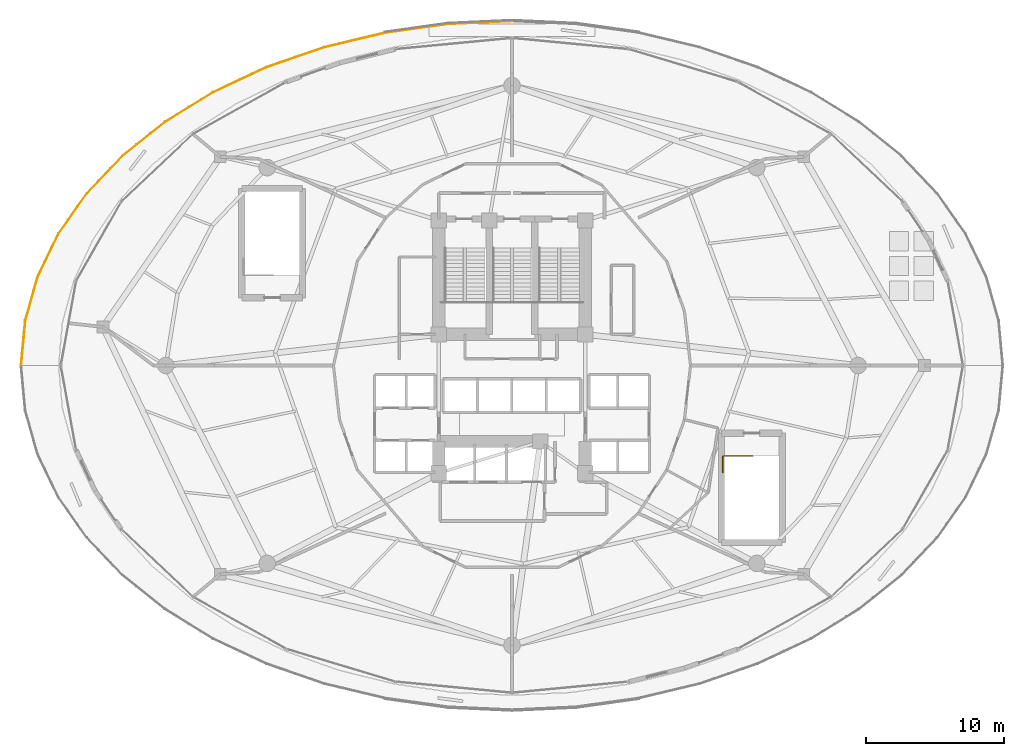
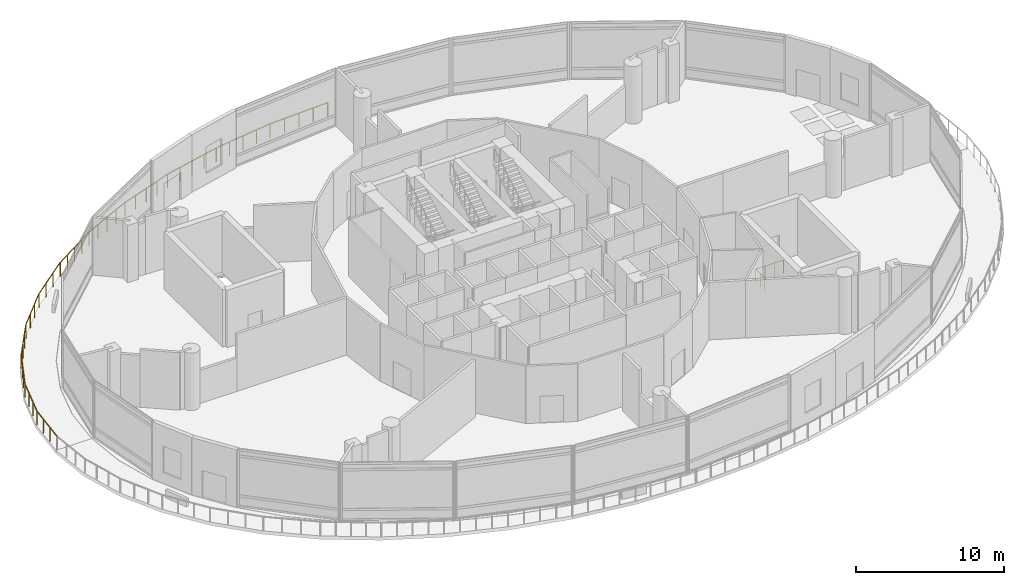
# One storey, part 33 of 34: 3 railings.
"""IFC4 building model written with IfcOpenShell, lengths in metres."""

from ifc_helpers import new_model, si_unit, direction, frame, origin, place, context, subcontext, project, spatial, polyline, outline, extrude, material, type_object, element, save


model = new_model("IFC4")

# Units and contexts
model_context = context("Model", 3, precision=1e-05, world=origin(), true_north=direction((0.0, 1.0)))
body_context = subcontext(model_context, "Body", "Model", "MODEL_VIEW")
ifc_project = project(units=[si_unit("LENGTHUNIT", "METRE"), si_unit("AREAUNIT", "SQUARE_METRE"), si_unit("VOLUMEUNIT", "CUBIC_METRE"), si_unit("PLANEANGLEUNIT", "RADIAN"), si_unit("MASSUNIT", "GRAM", prefix="KILO")], contexts=[model_context])

# Site, building, storey
site_placement = place(None, origin())
site = spatial("IfcSite", under=ifc_project, at=site_placement, CompositionType="ELEMENT")
building_placement = place(site_placement, origin())
building = spatial("IfcBuilding", under=site, at=building_placement, Name="Nuhasar Tower", CompositionType="ELEMENT")
storey_placement = place(building_placement, frame((0.0, 0.0, 16.0)))
storey = spatial("IfcBuildingStorey", under=building, at=storey_placement, Name="L03", CompositionType="ELEMENT", Elevation=16.0)

# Railings
ifc_material = material(Name="Steel S355", Category="steel")
railing_type_1 = type_object("IfcRailingType", Name="RLG-STAIR-GUARD-1150", PredefinedType="GUARDRAIL", material=ifc_material)
railing_1_placement = place(storey_placement, frame((54.25, 19.050048828125, 0.0)))
element("IfcRailing", 1, at=railing_1_placement, inside=storey, type_object=railing_type_1, Name="L03 Stair ST-05 Top Well Guardrail", PredefinedType="GUARDRAIL", context=body_context, shape_type="SweptSolid", body=[
    extrude(outline(polyline([(0.024169921875, 0.0), (0.01708984375, 0.01708984375), (0.0, 0.024169921875), (-0.01708984375, 0.01708984375), (-0.024169921875, 0.0), (-0.01708984375, -0.01708984375), (0.0, -0.024169921875), (0.01708984375, -0.01708984375), (0.024169921875, 0.0)])), frame((0.0, 0.0, 1.1259765625), z_axis=(0.0, 1.0, 0.0), x_axis=(-1.0, 0.0, 0.0)), (0.0, 0.0, 1.0), 1.199951171875),
    extrude(outline(polyline([(0.024169921875, 0.0), (0.01708984375, 0.01708984375), (0.0, 0.024169921875), (-0.01708984375, 0.01708984375), (-0.024169921875, 0.0), (-0.01708984375, -0.01708984375), (0.0, -0.024169921875), (0.01708984375, -0.01708984375), (0.024169921875, 0.0)])), frame((0.0, 1.199951171875, 1.1259765625), z_axis=(1.0, 0.0, 0.0), x_axis=(0.0, 1.0, 0.0)), (0.0, 0.0, 1.0), 2.169921875),
    extrude(outline(polyline([(0.02099609375, 0.0), (0.014892578125, 0.014892578125), (0.0, 0.02099609375), (-0.014892578125, 0.014892578125), (-0.02099609375, 0.0), (-0.014892578125, -0.014892578125), (0.0, -0.02099609375), (0.014892578125, -0.014892578125), (0.02099609375, 0.0)])), origin(), (0.0, 0.0, 1.0), 1.101806640625),
    extrude(outline(polyline([(0.02099609375, 0.0), (0.014892578125, 0.014892578125), (0.0, 0.02099609375), (-0.014892578125, 0.014892578125), (-0.02099609375, 0.0), (-0.014892578125, -0.014892578125), (0.0, -0.02099609375), (0.014892578125, -0.014892578125), (0.02099609375, 0.0)])), frame((0.0, 0.60009765625, 0.0)), (0.0, 0.0, 1.0), 1.101806640625),
    extrude(outline(polyline([(0.02099609375, 0.0), (0.014892578125, 0.014892578125), (0.0, 0.02099609375), (-0.014892578125, 0.014892578125), (-0.02099609375, 0.0), (-0.014892578125, -0.014892578125), (0.0, -0.02099609375), (0.014892578125, -0.014892578125), (0.02099609375, 0.0)])), frame((0.0, 1.199951171875, 0.0)), (0.0, 0.0, 1.0), 1.101806640625),
    extrude(outline(polyline([(0.02099609375, 0.0), (0.014892578125, 0.014892578125), (0.0, 0.02099609375), (-0.014892578125, 0.014892578125), (-0.02099609375, 0.0), (-0.014892578125, -0.014892578125), (0.0, -0.02099609375), (0.014892578125, -0.014892578125), (0.02099609375, 0.0)])), frame((0.723388671875, 1.199951171875, 0.0)), (0.0, 0.0, 1.0), 1.101806640625),
    extrude(outline(polyline([(0.02099609375, 0.0), (0.014892578125, 0.014892578125), (0.0, 0.02099609375), (-0.014892578125, 0.014892578125), (-0.02099609375, 0.0), (-0.014892578125, -0.014892578125), (0.0, -0.02099609375), (0.014892578125, -0.014892578125), (0.02099609375, 0.0)])), frame((1.446533203125, 1.199951171875, 0.0)), (0.0, 0.0, 1.0), 1.101806640625),
    extrude(outline(polyline([(0.02099609375, 0.0), (0.014892578125, 0.014892578125), (0.0, 0.02099609375), (-0.014892578125, 0.014892578125), (-0.02099609375, 0.0), (-0.014892578125, -0.014892578125), (0.0, -0.02099609375), (0.014892578125, -0.014892578125), (0.02099609375, 0.0)])), frame((2.169921875, 1.199951171875, 0.0)), (0.0, 0.0, 1.0), 1.101806640625),
])
railing_type_2 = type_object("IfcRailingType", Name="RLG-TERR-1150", PredefinedType="BALUSTRADE", material=ifc_material)
railing_2_placement = place(storey_placement, frame((39.0, 51.719970703125, 0.0)))
element("IfcRailing", 2, at=railing_2_placement, inside=storey, type_object=railing_type_2, Name="L03 Bustan Terrace Perimeter Balustrade 03", PredefinedType="BALUSTRADE", context=body_context, shape_type="SweptSolid", body=[
    extrude(outline(polyline([(0.024169921875, 0.0), (0.01708984375, 0.01708984375), (0.0, 0.024169921875), (-0.01708984375, 0.01708984375), (-0.024169921875, 0.0), (-0.01708984375, -0.01708984375), (0.0, -0.024169921875), (0.01708984375, -0.01708984375), (0.024169921875, 0.0)])), frame((0.0, 0.0, 1.1259765625), z_axis=(-0.998947280716, -0.045872980609, 0.0), x_axis=(0.045872980609, -0.998947280716, 0.0)), (0.0, 0.0, 1.0), 4.640869140625),
    extrude(outline(polyline([(0.024169921875, 0.0), (0.01708984375, 0.01708984375), (0.0, 0.024169921875), (-0.01708984375, 0.01708984375), (-0.024169921875, 0.0), (-0.01708984375, -0.01708984375), (0.0, -0.024169921875), (0.01708984375, -0.01708984375), (0.024169921875, 0.0)])), frame((-4.635986328125, -0.212890625, 1.1259765625), z_axis=(-0.990401686218, -0.138219028854, 0.0), x_axis=(0.138219028854, -0.990401686218, 0.0)), (0.0, 0.0, 1.0), 4.601318359375),
    extrude(outline(polyline([(0.024169921875, 0.0), (0.01708984375, 0.01708984375), (0.0, 0.024169921875), (-0.01708984375, 0.01708984375), (-0.024169921875, 0.0), (-0.01708984375, -0.01708984375), (0.0, -0.024169921875), (0.01708984375, -0.01708984375), (0.024169921875, 0.0)])), frame((-9.193115234375, -0.848876953125, 1.1259765625), z_axis=(-0.972781305311, -0.231725121723, 0.0), x_axis=(0.231725121723, -0.972781305311, 0.0)), (0.0, 0.0, 1.0), 4.52294921875),
    extrude(outline(polyline([(0.024169921875, 0.0), (0.01708984375, 0.01708984375), (0.0, 0.024169921875), (-0.01708984375, 0.01708984375), (-0.024169921875, 0.0), (-0.01708984375, -0.01708984375), (0.0, -0.024169921875), (0.01708984375, -0.01708984375), (0.024169921875, 0.0)])), frame((-13.593017578125, -1.89697265625, 1.1259765625), z_axis=(-0.945022930753, -0.327004067789, 0.0), x_axis=(0.327004067789, -0.945022930753, 0.0)), (0.0, 0.0, 1.0), 4.409423828125),
    extrude(outline(polyline([(0.024169921875, 0.0), (0.01708984375, 0.01708984375), (0.0, 0.024169921875), (-0.01708984375, 0.01708984375), (-0.024169921875, 0.0), (-0.01708984375, -0.01708984375), (0.0, -0.024169921875), (0.01708984375, -0.01708984375), (0.024169921875, 0.0)])), frame((-17.760009765625, -3.3388671875, 1.1259765625), z_axis=(-0.905437630864, -0.424479324132, 0.0), x_axis=(0.424479324132, -0.905437630864, 0.0)), (0.0, 0.0, 1.0), 4.2666015625),
    extrude(outline(polyline([(0.024169921875, 0.0), (0.01708984375, 0.01708984375), (0.0, 0.024169921875), (-0.01708984375, 0.01708984375), (-0.024169921875, 0.0), (-0.01708984375, -0.01708984375), (0.0, -0.024169921875), (0.01708984375, -0.01708984375), (0.024169921875, 0.0)])), frame((-21.623046875, -5.14990234375, 1.1259765625), z_axis=(-0.851705785803, -0.524020280551, 0.0), x_axis=(0.524020280551, -0.851705785803, 0.0)), (0.0, 0.0, 1.0), 4.061279296875),
    extrude(outline(polyline([(0.02099609375, 0.0), (0.014892578125, 0.014892578125), (0.0, 0.02099609375), (-0.014892578125, 0.014892578125), (-0.02099609375, 0.0), (-0.014892578125, -0.014892578125), (0.0, -0.02099609375), (0.014892578125, -0.014892578125), (0.02099609375, 0.0)])), origin(), (0.0, 0.0, 1.0), 1.101806640625),
    extrude(outline(polyline([(0.02099609375, 0.0), (0.014892578125, 0.014892578125), (0.0, 0.02099609375), (-0.014892578125, 0.014892578125), (-0.02099609375, 0.0), (-0.014892578125, -0.014892578125), (0.0, -0.02099609375), (0.014892578125, -0.014892578125), (0.02099609375, 0.0)])), frame((-1.158935546875, -0.05322265625, 0.0)), (0.0, 0.0, 1.0), 1.101806640625),
    extrude(outline(polyline([(0.02099609375, 0.0), (0.014892578125, 0.014892578125), (0.0, 0.02099609375), (-0.014892578125, 0.014892578125), (-0.02099609375, 0.0), (-0.014892578125, -0.014892578125), (0.0, -0.02099609375), (0.014892578125, -0.014892578125), (0.02099609375, 0.0)])), frame((-2.31787109375, -0.1064453125, 0.0)), (0.0, 0.0, 1.0), 1.101806640625),
    extrude(outline(polyline([(0.02099609375, 0.0), (0.014892578125, 0.014892578125), (0.0, 0.02099609375), (-0.014892578125, 0.014892578125), (-0.02099609375, 0.0), (-0.014892578125, -0.014892578125), (0.0, -0.02099609375), (0.014892578125, -0.014892578125), (0.02099609375, 0.0)])), frame((-3.47705078125, -0.15966796875, 0.0)), (0.0, 0.0, 1.0), 1.101806640625),
    extrude(outline(polyline([(0.02099609375, 0.0), (0.014892578125, 0.014892578125), (0.0, 0.02099609375), (-0.014892578125, 0.014892578125), (-0.02099609375, 0.0), (-0.014892578125, -0.014892578125), (0.0, -0.02099609375), (0.014892578125, -0.014892578125), (0.02099609375, 0.0)])), frame((-4.635986328125, -0.212890625, 0.0)), (0.0, 0.0, 1.0), 1.101806640625),
    extrude(outline(polyline([(0.02099609375, 0.0), (0.014892578125, 0.014892578125), (0.0, 0.02099609375), (-0.014892578125, 0.014892578125), (-0.02099609375, 0.0), (-0.014892578125, -0.014892578125), (0.0, -0.02099609375), (0.014892578125, -0.014892578125), (0.02099609375, 0.0)])), frame((-5.775390625, -0.371826171875, 0.0)), (0.0, 0.0, 1.0), 1.101806640625),
    extrude(outline(polyline([(0.02099609375, 0.0), (0.014892578125, 0.014892578125), (0.0, 0.02099609375), (-0.014892578125, 0.014892578125), (-0.02099609375, 0.0), (-0.014892578125, -0.014892578125), (0.0, -0.02099609375), (0.014892578125, -0.014892578125), (0.02099609375, 0.0)])), frame((-6.91455078125, -0.53076171875, 0.0)), (0.0, 0.0, 1.0), 1.101806640625),
    extrude(outline(polyline([(0.02099609375, 0.0), (0.014892578125, 0.014892578125), (0.0, 0.02099609375), (-0.014892578125, 0.014892578125), (-0.02099609375, 0.0), (-0.014892578125, -0.014892578125), (0.0, -0.02099609375), (0.014892578125, -0.014892578125), (0.02099609375, 0.0)])), frame((-8.0537109375, -0.68994140625, 0.0)), (0.0, 0.0, 1.0), 1.101806640625),
    extrude(outline(polyline([(0.02099609375, 0.0), (0.014892578125, 0.014892578125), (0.0, 0.02099609375), (-0.014892578125, 0.014892578125), (-0.02099609375, 0.0), (-0.014892578125, -0.014892578125), (0.0, -0.02099609375), (0.014892578125, -0.014892578125), (0.02099609375, 0.0)])), frame((-9.193115234375, -0.848876953125, 0.0)), (0.0, 0.0, 1.0), 1.101806640625),
    extrude(outline(polyline([(0.02099609375, 0.0), (0.014892578125, 0.014892578125), (0.0, 0.02099609375), (-0.014892578125, 0.014892578125), (-0.02099609375, 0.0), (-0.014892578125, -0.014892578125), (0.0, -0.02099609375), (0.014892578125, -0.014892578125), (0.02099609375, 0.0)])), frame((-10.29296875, -1.11083984375, 0.0)), (0.0, 0.0, 1.0), 1.101806640625),
    extrude(outline(polyline([(0.02099609375, 0.0), (0.014892578125, 0.014892578125), (0.0, 0.02099609375), (-0.014892578125, 0.014892578125), (-0.02099609375, 0.0), (-0.014892578125, -0.014892578125), (0.0, -0.02099609375), (0.014892578125, -0.014892578125), (0.02099609375, 0.0)])), frame((-11.39306640625, -1.373046875, 0.0)), (0.0, 0.0, 1.0), 1.101806640625),
    extrude(outline(polyline([(0.02099609375, 0.0), (0.014892578125, 0.014892578125), (0.0, 0.02099609375), (-0.014892578125, 0.014892578125), (-0.02099609375, 0.0), (-0.014892578125, -0.014892578125), (0.0, -0.02099609375), (0.014892578125, -0.014892578125), (0.02099609375, 0.0)])), frame((-12.4931640625, -1.635009765625, 0.0)), (0.0, 0.0, 1.0), 1.101806640625),
    extrude(outline(polyline([(0.02099609375, 0.0), (0.014892578125, 0.014892578125), (0.0, 0.02099609375), (-0.014892578125, 0.014892578125), (-0.02099609375, 0.0), (-0.014892578125, -0.014892578125), (0.0, -0.02099609375), (0.014892578125, -0.014892578125), (0.02099609375, 0.0)])), frame((-13.593017578125, -1.89697265625, 0.0)), (0.0, 0.0, 1.0), 1.101806640625),
    extrude(outline(polyline([(0.02099609375, 0.0), (0.014892578125, 0.014892578125), (0.0, 0.02099609375), (-0.014892578125, 0.014892578125), (-0.02099609375, 0.0), (-0.014892578125, -0.014892578125), (0.0, -0.02099609375), (0.014892578125, -0.014892578125), (0.02099609375, 0.0)])), frame((-14.634765625, -2.25732421875, 0.0)), (0.0, 0.0, 1.0), 1.101806640625),
    extrude(outline(polyline([(0.02099609375, 0.0), (0.014892578125, 0.014892578125), (0.0, 0.02099609375), (-0.014892578125, 0.014892578125), (-0.02099609375, 0.0), (-0.014892578125, -0.014892578125), (0.0, -0.02099609375), (0.014892578125, -0.014892578125), (0.02099609375, 0.0)])), frame((-15.676513671875, -2.617919921875, 0.0)), (0.0, 0.0, 1.0), 1.101806640625),
    extrude(outline(polyline([(0.02099609375, 0.0), (0.014892578125, 0.014892578125), (0.0, 0.02099609375), (-0.014892578125, 0.014892578125), (-0.02099609375, 0.0), (-0.014892578125, -0.014892578125), (0.0, -0.02099609375), (0.014892578125, -0.014892578125), (0.02099609375, 0.0)])), frame((-16.71826171875, -2.978515625, 0.0)), (0.0, 0.0, 1.0), 1.101806640625),
    extrude(outline(polyline([(0.02099609375, 0.0), (0.014892578125, 0.014892578125), (0.0, 0.02099609375), (-0.014892578125, 0.014892578125), (-0.02099609375, 0.0), (-0.014892578125, -0.014892578125), (0.0, -0.02099609375), (0.014892578125, -0.014892578125), (0.02099609375, 0.0)])), frame((-17.760009765625, -3.3388671875, 0.0)), (0.0, 0.0, 1.0), 1.101806640625),
    extrude(outline(polyline([(0.02099609375, 0.0), (0.014892578125, 0.014892578125), (0.0, 0.02099609375), (-0.014892578125, 0.014892578125), (-0.02099609375, 0.0), (-0.014892578125, -0.014892578125), (0.0, -0.02099609375), (0.014892578125, -0.014892578125), (0.02099609375, 0.0)])), frame((-18.725830078125, -3.79150390625, 0.0)), (0.0, 0.0, 1.0), 1.101806640625),
    extrude(outline(polyline([(0.02099609375, 0.0), (0.014892578125, 0.014892578125), (0.0, 0.02099609375), (-0.014892578125, 0.014892578125), (-0.02099609375, 0.0), (-0.014892578125, -0.014892578125), (0.0, -0.02099609375), (0.014892578125, -0.014892578125), (0.02099609375, 0.0)])), frame((-19.69140625, -4.244384765625, 0.0)), (0.0, 0.0, 1.0), 1.101806640625),
    extrude(outline(polyline([(0.02099609375, 0.0), (0.014892578125, 0.014892578125), (0.0, 0.02099609375), (-0.014892578125, 0.014892578125), (-0.02099609375, 0.0), (-0.014892578125, -0.014892578125), (0.0, -0.02099609375), (0.014892578125, -0.014892578125), (0.02099609375, 0.0)])), frame((-20.6572265625, -4.697265625, 0.0)), (0.0, 0.0, 1.0), 1.101806640625),
    extrude(outline(polyline([(0.02099609375, 0.0), (0.014892578125, 0.014892578125), (0.0, 0.02099609375), (-0.014892578125, 0.014892578125), (-0.02099609375, 0.0), (-0.014892578125, -0.014892578125), (0.0, -0.02099609375), (0.014892578125, -0.014892578125), (0.02099609375, 0.0)])), frame((-21.623046875, -5.14990234375, 0.0)), (0.0, 0.0, 1.0), 1.101806640625),
    extrude(outline(polyline([(0.02099609375, 0.0), (0.014892578125, 0.014892578125), (0.0, 0.02099609375), (-0.014892578125, 0.014892578125), (-0.02099609375, 0.0), (-0.014892578125, -0.014892578125), (0.0, -0.02099609375), (0.014892578125, -0.014892578125), (0.02099609375, 0.0)])), frame((-22.48779296875, -5.681884765625, 0.0)), (0.0, 0.0, 1.0), 1.101806640625),
    extrude(outline(polyline([(0.02099609375, 0.0), (0.014892578125, 0.014892578125), (0.0, 0.02099609375), (-0.014892578125, 0.014892578125), (-0.02099609375, 0.0), (-0.014892578125, -0.014892578125), (0.0, -0.02099609375), (0.014892578125, -0.014892578125), (0.02099609375, 0.0)])), frame((-23.3525390625, -6.2138671875, 0.0)), (0.0, 0.0, 1.0), 1.101806640625),
    extrude(outline(polyline([(0.02099609375, 0.0), (0.014892578125, 0.014892578125), (0.0, 0.02099609375), (-0.014892578125, 0.014892578125), (-0.02099609375, 0.0), (-0.014892578125, -0.014892578125), (0.0, -0.02099609375), (0.014892578125, -0.014892578125), (0.02099609375, 0.0)])), frame((-24.21728515625, -6.74609375, 0.0)), (0.0, 0.0, 1.0), 1.101806640625),
    extrude(outline(polyline([(0.02099609375, 0.0), (0.014892578125, 0.014892578125), (0.0, 0.02099609375), (-0.014892578125, 0.014892578125), (-0.02099609375, 0.0), (-0.014892578125, -0.014892578125), (0.0, -0.02099609375), (0.014892578125, -0.014892578125), (0.02099609375, 0.0)])), frame((-25.08203125, -7.278076171875, 0.0)), (0.0, 0.0, 1.0), 1.101806640625),
])
railing_3_placement = place(storey_placement, frame((13.884033203125, 44.4208984375, 0.0)))
element("IfcRailing", 3, at=railing_3_placement, inside=storey, type_object=railing_type_2, Name="L03 Bustan Terrace Perimeter Balustrade 04", PredefinedType="BALUSTRADE", context=body_context, shape_type="SweptSolid", body=[
    extrude(outline(polyline([(0.024169921875, 0.0), (0.01708984375, 0.01708984375), (0.0, 0.024169921875), (-0.01708984375, 0.01708984375), (-0.024169921875, 0.0), (-0.01708984375, -0.01708984375), (0.0, -0.024169921875), (0.01708984375, -0.01708984375), (0.024169921875, 0.0)])), frame((0.0, 0.0, 1.1259765625), z_axis=(-0.780899161224, -0.624657105939, 0.0), x_axis=(0.624657105939, -0.780899161224, 0.0)), (0.0, 0.0, 1.0), 3.923583984375),
    extrude(outline(polyline([(0.024169921875, 0.0), (0.01708984375, 0.01708984375), (0.0, 0.024169921875), (-0.01708984375, 0.01708984375), (-0.024169921875, 0.0), (-0.01708984375, -0.01708984375), (0.0, -0.024169921875), (0.01708984375, -0.01708984375), (0.024169921875, 0.0)])), frame((-3.06396484375, -2.450927734375, 1.1259765625), z_axis=(-0.689674719684, -0.724119314084, 0.0), x_axis=(0.724119314084, -0.689674719684, 0.0)), (0.0, 0.0, 1.0), 3.742431640625),
    extrude(outline(polyline([(0.024169921875, 0.0), (0.01708984375, 0.01708984375), (0.0, 0.024169921875), (-0.01708984375, 0.01708984375), (-0.024169921875, 0.0), (-0.01708984375, -0.01708984375), (0.0, -0.024169921875), (0.01708984375, -0.01708984375), (0.024169921875, 0.0)])), frame((-5.64501953125, -5.160888671875, 1.1259765625), z_axis=(-0.574978887045, -0.818168246422, 0.0), x_axis=(0.818168246422, -0.574978887045, 0.0)), (0.0, 0.0, 1.0), 3.573974609375),
    extrude(outline(polyline([(0.024169921875, 0.0), (0.01708984375, 0.01708984375), (0.0, 0.024169921875), (-0.01708984375, 0.01708984375), (-0.024169921875, 0.0), (-0.01708984375, -0.01708984375), (0.0, -0.024169921875), (0.01708984375, -0.01708984375), (0.024169921875, 0.0)])), frame((-7.699951171875, -8.0849609375, 1.1259765625), z_axis=(-0.435784260795, -0.900051153015, 0.0), x_axis=(0.900051153015, -0.435784260795, 0.0)), (0.0, 0.0, 1.0), 3.4287109375),
    extrude(outline(polyline([(0.024169921875, 0.0), (0.01708984375, 0.01708984375), (0.0, 0.024169921875), (-0.01708984375, 0.01708984375), (-0.024169921875, 0.0), (-0.01708984375, -0.01708984375), (0.0, -0.024169921875), (0.01708984375, -0.01708984375), (0.024169921875, 0.0)])), frame((-9.194091796875, -11.1708984375, 1.1259765625), z_axis=(-0.272653580986, -0.962112272438, 0.0), x_axis=(0.962112272438, -0.272653580986, 0.0)), (0.0, 0.0, 1.0), 3.322998046875),
    extrude(outline(polyline([(0.024169921875, 0.0), (0.01708984375, 0.01708984375), (0.0, 0.024169921875), (-0.01708984375, 0.01708984375), (-0.024169921875, 0.0), (-0.01708984375, -0.01708984375), (0.0, -0.024169921875), (0.01708984375, -0.01708984375), (0.024169921875, 0.0)])), frame((-10.10009765625, -14.367919921875, 1.1259765625), z_axis=(-0.09298445531, -0.995667560519, 0.0), x_axis=(0.995667560519, -0.09298445531, 0.0)), (0.0, 0.0, 1.0), 3.226806640625),
    extrude(outline(polyline([(0.02099609375, 0.0), (0.014892578125, 0.014892578125), (0.0, 0.02099609375), (-0.014892578125, 0.014892578125), (-0.02099609375, 0.0), (-0.014892578125, -0.014892578125), (0.0, -0.02099609375), (0.014892578125, -0.014892578125), (0.02099609375, 0.0)])), origin(), (0.0, 0.0, 1.0), 1.101806640625),
    extrude(outline(polyline([(0.02099609375, 0.0), (0.014892578125, 0.014892578125), (0.0, 0.02099609375), (-0.014892578125, 0.014892578125), (-0.02099609375, 0.0), (-0.014892578125, -0.014892578125), (0.0, -0.02099609375), (0.014892578125, -0.014892578125), (0.02099609375, 0.0)])), frame((-1.021240234375, -0.81689453125, 0.0)), (0.0, 0.0, 1.0), 1.101806640625),
    extrude(outline(polyline([(0.02099609375, 0.0), (0.014892578125, 0.014892578125), (0.0, 0.02099609375), (-0.014892578125, 0.014892578125), (-0.02099609375, 0.0), (-0.014892578125, -0.014892578125), (0.0, -0.02099609375), (0.014892578125, -0.014892578125), (0.02099609375, 0.0)])), frame((-2.042724609375, -1.634033203125, 0.0)), (0.0, 0.0, 1.0), 1.101806640625),
    extrude(outline(polyline([(0.02099609375, 0.0), (0.014892578125, 0.014892578125), (0.0, 0.02099609375), (-0.014892578125, 0.014892578125), (-0.02099609375, 0.0), (-0.014892578125, -0.014892578125), (0.0, -0.02099609375), (0.014892578125, -0.014892578125), (0.02099609375, 0.0)])), frame((-3.06396484375, -2.450927734375, 0.0)), (0.0, 0.0, 1.0), 1.101806640625),
    extrude(outline(polyline([(0.02099609375, 0.0), (0.014892578125, 0.014892578125), (0.0, 0.02099609375), (-0.014892578125, 0.014892578125), (-0.02099609375, 0.0), (-0.014892578125, -0.014892578125), (0.0, -0.02099609375), (0.014892578125, -0.014892578125), (0.02099609375, 0.0)])), frame((-3.92431640625, -3.354248046875, 0.0)), (0.0, 0.0, 1.0), 1.101806640625),
    extrude(outline(polyline([(0.02099609375, 0.0), (0.014892578125, 0.014892578125), (0.0, 0.02099609375), (-0.014892578125, 0.014892578125), (-0.02099609375, 0.0), (-0.014892578125, -0.014892578125), (0.0, -0.02099609375), (0.014892578125, -0.014892578125), (0.02099609375, 0.0)])), frame((-4.78466796875, -4.257568359375, 0.0)), (0.0, 0.0, 1.0), 1.101806640625),
    extrude(outline(polyline([(0.02099609375, 0.0), (0.014892578125, 0.014892578125), (0.0, 0.02099609375), (-0.014892578125, 0.014892578125), (-0.02099609375, 0.0), (-0.014892578125, -0.014892578125), (0.0, -0.02099609375), (0.014892578125, -0.014892578125), (0.02099609375, 0.0)])), frame((-5.64501953125, -5.160888671875, 0.0)), (0.0, 0.0, 1.0), 1.101806640625),
    extrude(outline(polyline([(0.02099609375, 0.0), (0.014892578125, 0.014892578125), (0.0, 0.02099609375), (-0.014892578125, 0.014892578125), (-0.02099609375, 0.0), (-0.014892578125, -0.014892578125), (0.0, -0.02099609375), (0.014892578125, -0.014892578125), (0.02099609375, 0.0)])), frame((-6.330078125, -6.135498046875, 0.0)), (0.0, 0.0, 1.0), 1.101806640625),
    extrude(outline(polyline([(0.02099609375, 0.0), (0.014892578125, 0.014892578125), (0.0, 0.02099609375), (-0.014892578125, 0.014892578125), (-0.02099609375, 0.0), (-0.014892578125, -0.014892578125), (0.0, -0.02099609375), (0.014892578125, -0.014892578125), (0.02099609375, 0.0)])), frame((-7.014892578125, -7.1103515625, 0.0)), (0.0, 0.0, 1.0), 1.101806640625),
    extrude(outline(polyline([(0.02099609375, 0.0), (0.014892578125, 0.014892578125), (0.0, 0.02099609375), (-0.014892578125, 0.014892578125), (-0.02099609375, 0.0), (-0.014892578125, -0.014892578125), (0.0, -0.02099609375), (0.014892578125, -0.014892578125), (0.02099609375, 0.0)])), frame((-7.699951171875, -8.0849609375, 0.0)), (0.0, 0.0, 1.0), 1.101806640625),
    extrude(outline(polyline([(0.02099609375, 0.0), (0.014892578125, 0.014892578125), (0.0, 0.02099609375), (-0.014892578125, 0.014892578125), (-0.02099609375, 0.0), (-0.014892578125, -0.014892578125), (0.0, -0.02099609375), (0.014892578125, -0.014892578125), (0.02099609375, 0.0)])), frame((-8.197998046875, -9.113525390625, 0.0)), (0.0, 0.0, 1.0), 1.101806640625),
    extrude(outline(polyline([(0.02099609375, 0.0), (0.014892578125, 0.014892578125), (0.0, 0.02099609375), (-0.014892578125, 0.014892578125), (-0.02099609375, 0.0), (-0.014892578125, -0.014892578125), (0.0, -0.02099609375), (0.014892578125, -0.014892578125), (0.02099609375, 0.0)])), frame((-8.696044921875, -10.142333984375, 0.0)), (0.0, 0.0, 1.0), 1.101806640625),
    extrude(outline(polyline([(0.02099609375, 0.0), (0.014892578125, 0.014892578125), (0.0, 0.02099609375), (-0.014892578125, 0.014892578125), (-0.02099609375, 0.0), (-0.014892578125, -0.014892578125), (0.0, -0.02099609375), (0.014892578125, -0.014892578125), (0.02099609375, 0.0)])), frame((-9.194091796875, -11.1708984375, 0.0)), (0.0, 0.0, 1.0), 1.101806640625),
    extrude(outline(polyline([(0.02099609375, 0.0), (0.014892578125, 0.014892578125), (0.0, 0.02099609375), (-0.014892578125, 0.014892578125), (-0.02099609375, 0.0), (-0.014892578125, -0.014892578125), (0.0, -0.02099609375), (0.014892578125, -0.014892578125), (0.02099609375, 0.0)])), frame((-9.49609375, -12.236572265625, 0.0)), (0.0, 0.0, 1.0), 1.101806640625),
    extrude(outline(polyline([(0.02099609375, 0.0), (0.014892578125, 0.014892578125), (0.0, 0.02099609375), (-0.014892578125, 0.014892578125), (-0.02099609375, 0.0), (-0.014892578125, -0.014892578125), (0.0, -0.02099609375), (0.014892578125, -0.014892578125), (0.02099609375, 0.0)])), frame((-9.798095703125, -13.30224609375, 0.0)), (0.0, 0.0, 1.0), 1.101806640625),
    extrude(outline(polyline([(0.02099609375, 0.0), (0.014892578125, 0.014892578125), (0.0, 0.02099609375), (-0.014892578125, 0.014892578125), (-0.02099609375, 0.0), (-0.014892578125, -0.014892578125), (0.0, -0.02099609375), (0.014892578125, -0.014892578125), (0.02099609375, 0.0)])), frame((-10.10009765625, -14.367919921875, 0.0)), (0.0, 0.0, 1.0), 1.101806640625),
    extrude(outline(polyline([(0.02099609375, 0.0), (0.014892578125, 0.014892578125), (0.0, 0.02099609375), (-0.014892578125, 0.014892578125), (-0.02099609375, 0.0), (-0.014892578125, -0.014892578125), (0.0, -0.02099609375), (0.014892578125, -0.014892578125), (0.02099609375, 0.0)])), frame((-10.2001953125, -15.43896484375, 0.0)), (0.0, 0.0, 1.0), 1.101806640625),
    extrude(outline(polyline([(0.02099609375, 0.0), (0.014892578125, 0.014892578125), (0.0, 0.02099609375), (-0.014892578125, 0.014892578125), (-0.02099609375, 0.0), (-0.014892578125, -0.014892578125), (0.0, -0.02099609375), (0.014892578125, -0.014892578125), (0.02099609375, 0.0)])), frame((-10.300048828125, -16.509765625, 0.0)), (0.0, 0.0, 1.0), 1.101806640625),
    extrude(outline(polyline([(0.02099609375, 0.0), (0.014892578125, 0.014892578125), (0.0, 0.02099609375), (-0.014892578125, 0.014892578125), (-0.02099609375, 0.0), (-0.014892578125, -0.014892578125), (0.0, -0.02099609375), (0.014892578125, -0.014892578125), (0.02099609375, 0.0)])), frame((-10.400146484375, -17.580810546875, 0.0)), (0.0, 0.0, 1.0), 1.101806640625),
])

save(model, "model.ifc")
